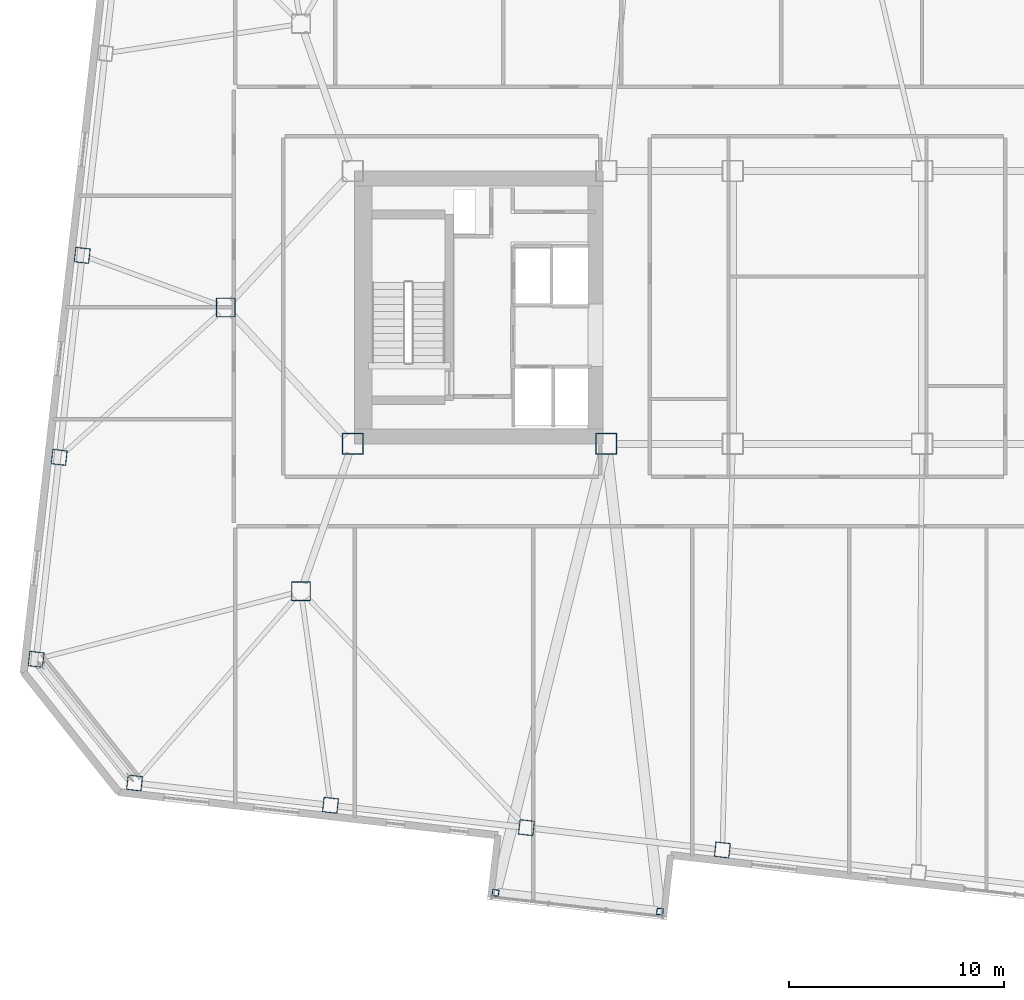
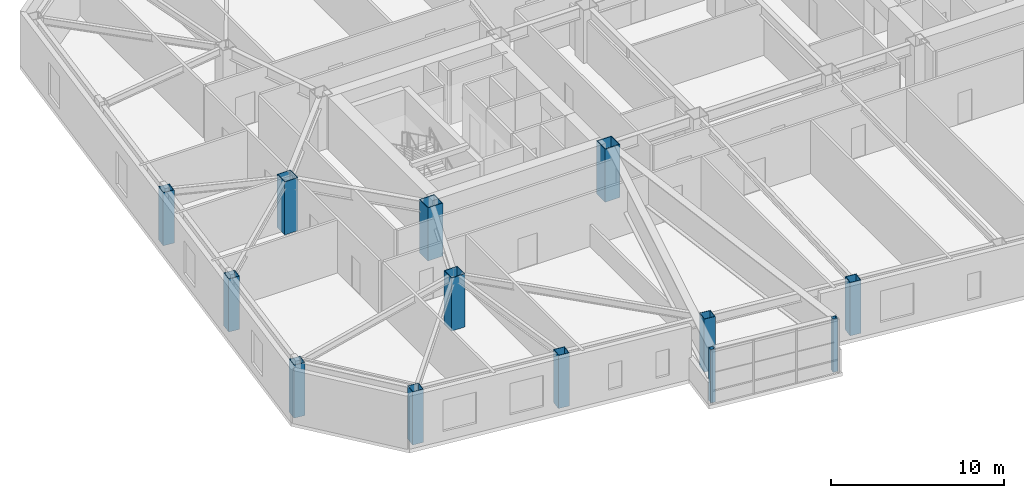
# One storey, part 1 of 22: 13 columns.
"""IFC4 building model written with IfcOpenShell, lengths in metres."""

from ifc_helpers import new_model, si_unit, direction, frame, origin, origin_2d, place, context, subcontext, project, spatial, hollow_rectangle, extrude, material, material_profile, profile_set, type_object, element, save


model = new_model("IFC4")

# Units and contexts
model_context = context("Model", 3, precision=1e-05, world=origin(), true_north=direction((0.0, 1.0)))
body_context = subcontext(model_context, "Body", "Model", "MODEL_VIEW")
ifc_project = project(units=[si_unit("LENGTHUNIT", "METRE"), si_unit("AREAUNIT", "SQUARE_METRE"), si_unit("VOLUMEUNIT", "CUBIC_METRE"), si_unit("PLANEANGLEUNIT", "RADIAN"), si_unit("MASSUNIT", "GRAM", prefix="KILO")], contexts=[model_context])

# Site, building, storey
site_placement = place(None, origin())
site = spatial("IfcSite", under=ifc_project, at=site_placement, CompositionType="ELEMENT")
building_placement = place(site_placement, origin())
building = spatial("IfcBuilding", under=site, at=building_placement, Name="Tavrogorsk Clinical Tower", CompositionType="ELEMENT")
storey_placement = place(building_placement, frame((0.0, 0.0, 93.39990234375)))
storey = spatial("IfcBuildingStorey", under=building, at=storey_placement, Name="L20", CompositionType="ELEMENT", Elevation=93.39990234375)

# Columns
ifc_material_1 = material(Name="Structural steel S390", Category="steel")
ifc_material_profile_1 = material_profile(ifc_material_1, hollow_rectangle(XDim=0.300048828125, YDim=0.300048828125, WallThickness=0.01611328125, at=origin_2d()), Name="SHS-300x300x16")
ifc_profile_set_1 = profile_set([ifc_material_profile_1], Name="Structural steel S390")
column_type_1 = type_object("IfcColumnType", Name="DayroomCol_SHS300", PredefinedType="COLUMN", material=ifc_profile_set_1)
for number, where, z_axis, x_axis, name in (
    (1, (-15.445068359375, -27.243408203125, 0.0), (0.0, 0.0, 1.0), (0.993571855677, -0.113203213768, 0.0), "L20 Day-Room Box Column DRB-03-L"),
    (2, (-7.79443359375, -28.114990234375, 0.0), (0.0, 0.0, 1.0), (0.993571855677, -0.113203213768, 0.0), "L20 Day-Room Box Column DRB-03-R"),
):
    element("IfcColumn", number, at=place(storey_placement, frame(where, z_axis=z_axis, x_axis=x_axis)), inside=storey, type_object=column_type_1, Name=name, PredefinedType="COLUMN", context=body_context, shape_type="SweptSolid", body=[
        extrude(hollow_rectangle(XDim=0.300048828125, YDim=0.300048828125, WallThickness=0.01611328125, at=origin_2d()), origin(), (0.0, 0.0, 1.0), 3.739990234375),
    ])
ifc_material_2 = material(Name="Structural steel S440", Category="steel")
ifc_material_profile_2 = material_profile(ifc_material_2, hollow_rectangle(XDim=1.0, YDim=1.0, WallThickness=0.044921875, at=origin_2d()), Name="BOX-1000x1000x45")
ifc_profile_set_2 = profile_set([ifc_material_profile_2], Name="Structural steel S440")
column_type_2 = type_object("IfcColumnType", Name="MegaCol_BOX1000", PredefinedType="COLUMN", material=ifc_profile_set_2)
for number, where, z_axis, x_axis, name in (
    (3, (-22.10009765625, -6.35009765625, 0.0), (0.0, 0.0, 1.0), (1.0, 0.0, 0.0), "L20 Mega Column MC-W1"),
    (4, (-10.300048828125, -6.35009765625, 0.0), (0.0, 0.0, 1.0), (1.0, 0.0, 0.0), "L20 Mega Column MC-W3"),
):
    element("IfcColumn", number, at=place(storey_placement, frame(where, z_axis=z_axis, x_axis=x_axis)), inside=storey, type_object=column_type_2, Name=name, PredefinedType="COLUMN", context=body_context, shape_type="SweptSolid", body=[
        extrude(hollow_rectangle(XDim=1.0, YDim=1.0, WallThickness=0.044921875, at=origin_2d()), origin(), (0.0, 0.0, 1.0), 3.739990234375),
    ])
ifc_material_3 = material(Name="Structural steel S440", Category="steel")
ifc_material_profile_3 = material_profile(ifc_material_3, hollow_rectangle(XDim=0.89990234375, YDim=0.89990234375, WallThickness=0.0400390625, at=origin_2d()), Name="BOX-900x900x40")
ifc_profile_set_3 = profile_set([ifc_material_profile_3], Name="Structural steel S440")
column_type_3 = type_object("IfcColumnType", Name="MegaCol_BOX900", PredefinedType="COLUMN", material=ifc_profile_set_3)
for number, where, z_axis, x_axis, name in (
    (5, (-24.5, -13.199951171875, 0.0), (0.0, 0.0, 1.0), (1.0, 0.0, 0.0), "L20 Spine Pilotis Column MC-P1"),
    (6, (-28.0, 0.0, 0.0), (0.0, 0.0, 1.0), (1.0, 0.0, 0.0), "L20 Spine Pilotis Column MC-P5"),
):
    element("IfcColumn", number, at=place(storey_placement, frame(where, z_axis=z_axis, x_axis=x_axis)), inside=storey, type_object=column_type_3, Name=name, PredefinedType="COLUMN", context=body_context, shape_type="SweptSolid", body=[
        extrude(hollow_rectangle(XDim=0.89990234375, YDim=0.89990234375, WallThickness=0.0400390625, at=origin_2d()), origin(), (0.0, 0.0, 1.0), 3.739990234375),
    ])
ifc_material_4 = material(Name="Structural steel S440", Category="steel")
ifc_material_profile_4 = material_profile(ifc_material_4, hollow_rectangle(XDim=0.699951171875, YDim=0.699951171875, WallThickness=0.031982421875, at=origin_2d()), Name="BOX-700x700x32")
ifc_profile_set_4 = profile_set([ifc_material_profile_4], Name="Structural steel S440")
column_type_4 = type_object("IfcColumnType", Name="PerimCol_B2_BOX700", PredefinedType="COLUMN", material=ifc_profile_set_4)
for number, where, z_axis, x_axis, name in (
    (7, (-32.243896484375, -22.12890625, 0.0), (0.0, 0.0, 1.0), (0.993571855677, -0.113203213768, 0.0), "L20 Perimeter Column S1"),
    (8, (-23.1259765625, -23.167724609375, 0.0), (0.0, 0.0, 1.0), (0.993571855677, -0.113203213768, 0.0), "L20 Perimeter Column S2"),
    (9, (-14.0078125, -24.20654296875, 0.0), (0.0, 0.0, 1.0), (0.993571855677, -0.113203213768, 0.0), "L20 Perimeter Column S3"),
    (10, (-4.8896484375, -25.24560546875, 0.0), (0.0, 0.0, 1.0), (0.993571855677, -0.113203213768, 0.0), "L20 Perimeter Column S4"),
    (11, (-34.68017578125, 2.4248046875, 0.0), (0.0, 0.0, 1.0), (0.993571855677, -0.113203213768, 0.0), "L20 Perimeter Column W3"),
    (12, (-35.7509765625, -6.974365234375, 0.0), (0.0, 0.0, 1.0), (0.993571855677, -0.113203213768, 0.0), "L20 Perimeter Column W4"),
    (13, (-36.822021484375, -16.37353515625, 0.0), (0.0, 0.0, 1.0), (0.993571855677, -0.113203213768, 0.0), "L20 Perimeter Column W5"),
):
    element("IfcColumn", number, at=place(storey_placement, frame(where, z_axis=z_axis, x_axis=x_axis)), inside=storey, type_object=column_type_4, Name=name, PredefinedType="COLUMN", context=body_context, shape_type="SweptSolid", body=[
        extrude(hollow_rectangle(XDim=0.699951171875, YDim=0.699951171875, WallThickness=0.031982421875, at=origin_2d()), origin(), (0.0, 0.0, 1.0), 3.739990234375),
    ])

save(model, "model.ifc")
